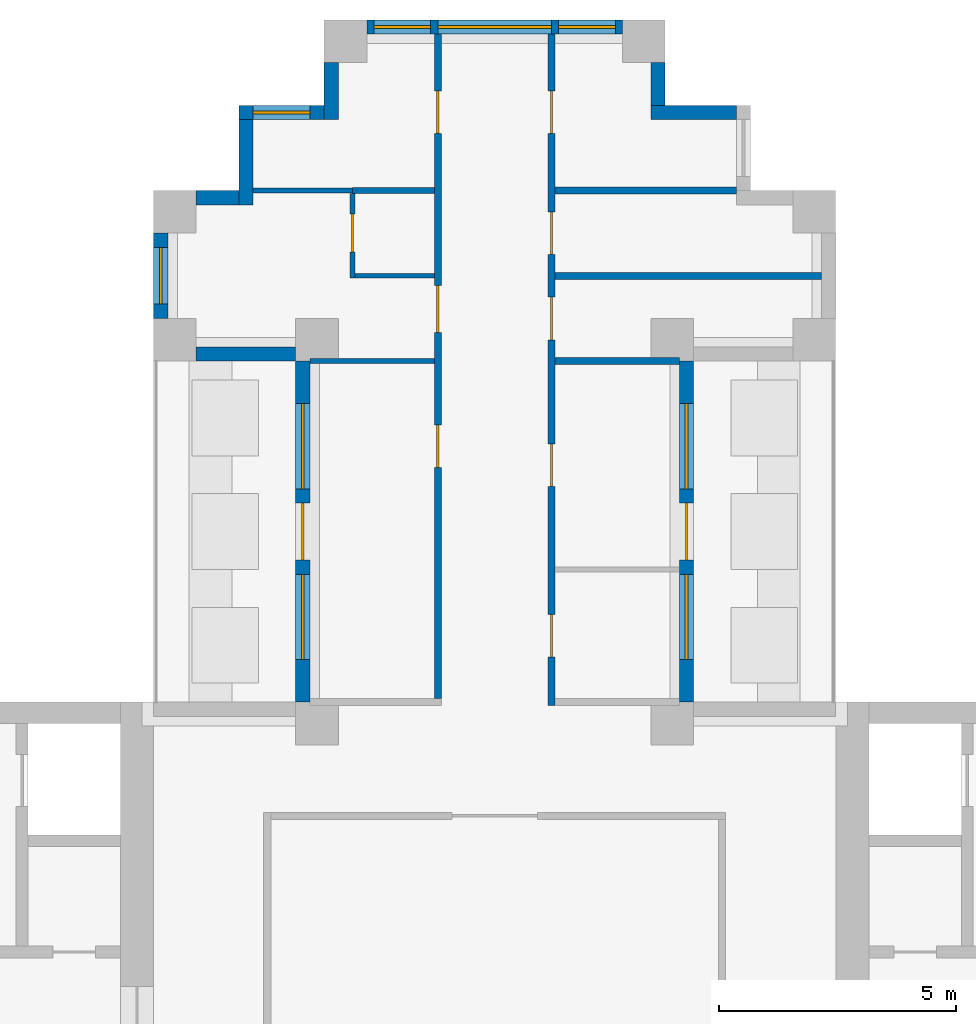
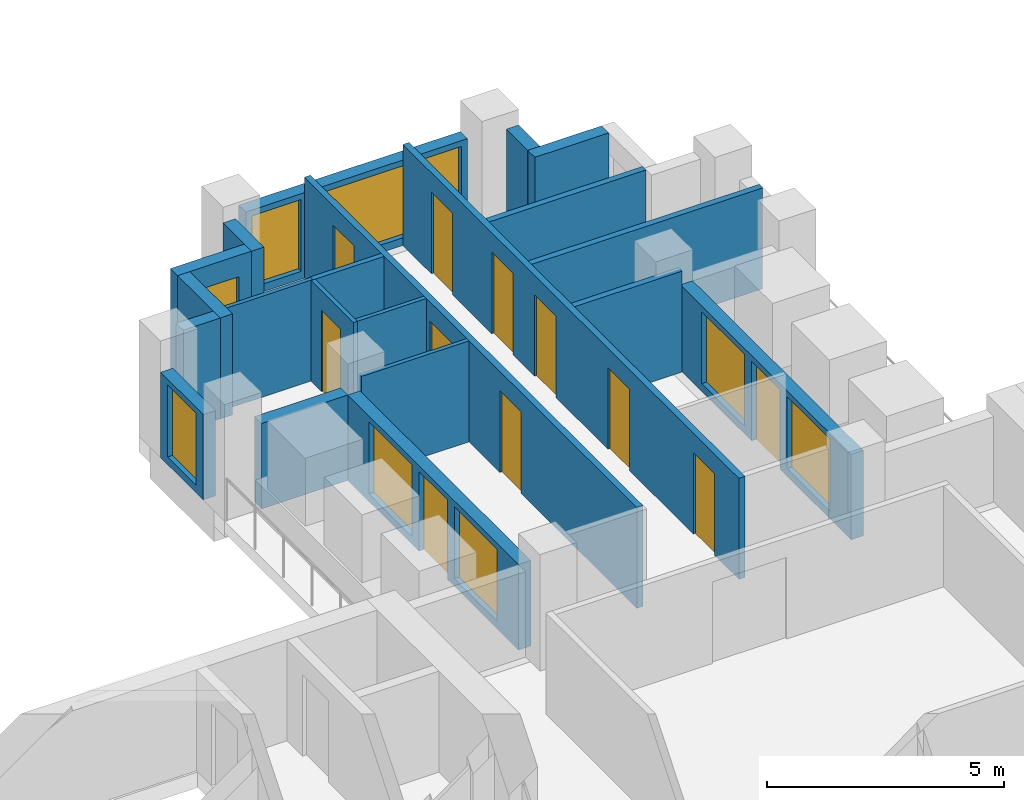
# One storey, part 7 of 11: 21 walls, 11 doors, 9 windows, 20 openings.
"""IFC4 building model written with IfcOpenShell, lengths in metres."""

from ifc_helpers import new_model, si_unit, direction, frame, frame_2d, origin, place, context, subcontext, project, spatial, rectangle, extrude, material, layer, layer_set, type_object, element, fill, save


model = new_model("IFC4")

# Units and contexts
model_context = context("Model", 3, precision=1e-05, world=origin(), true_north=direction((0.0, 1.0)))
body_context = subcontext(model_context, "Body", "Model", "MODEL_VIEW")
ifc_project = project(units=[si_unit("LENGTHUNIT", "METRE"), si_unit("AREAUNIT", "SQUARE_METRE"), si_unit("VOLUMEUNIT", "CUBIC_METRE"), si_unit("PLANEANGLEUNIT", "RADIAN"), si_unit("MASSUNIT", "GRAM", prefix="KILO")], contexts=[model_context])

# Site, building, storey
site_placement = place(None, origin())
site = spatial("IfcSite", under=ifc_project, at=site_placement, CompositionType="ELEMENT")
building_placement = place(site_placement, origin())
building = spatial("IfcBuilding", under=site, at=building_placement, Name="Fustian Cross Tower", CompositionType="ELEMENT")
storey_placement = place(building_placement, frame((0.0, 0.0, 126.300048828125)))
storey = spatial("IfcBuildingStorey", under=building, at=storey_placement, Name="L39", CompositionType="ELEMENT", Elevation=126.300048828125)

# Wall, openings, doors
ifc_material_1 = material(Name="Plasterboard on steel stud", Category="steel")
ifc_layer_1 = layer(ifc_material_1, 0.14990234375)
ifc_layer_set_1 = layer_set([ifc_layer_1], Name="Plasterboard on steel stud")
wall_type_1 = type_object("IfcWallType", Name="COMPARTMENT WALL 150 EI 60", PredefinedType="PARTITIONING", material=ifc_layer_set_1)
wall_1_placement = place(storey_placement, frame((-1.199951171875, 7.27490234375, 0.0), z_axis=(0.0, 0.0, 1.0), x_axis=(0.0, 1.0, 0.0)))
wall_1 = element("IfcWall", 1, at=wall_1_placement, inside=storey, type_object=wall_type_1, Name="Partition 33", PredefinedType="PARTITIONING", context=body_context, shape_type="SweptSolid", body=[
    extrude(rectangle(XDim=14.025146484375, YDim=0.14990234375, at=frame_2d((7.0126953125, 0.0))), origin(), (0.0, 0.0, 1.0), 2.599853515625),
])
opening_1_placement = place(wall_1_placement, frame((4.875, 0.0, 0.0)))
opening_1 = element("IfcOpeningElement", 2, at=opening_1_placement, cuts=wall_1, Name="Opening D18014", PredefinedType="OPENING", context=body_context, shape_type="SweptSolid", body=[
    extrude(rectangle(XDim=0.89990234375, YDim=2.10009765625, at=frame_2d((0.449951171875, 1.050048828125))), frame((0.0, 0.0849609375, 0.0), z_axis=(0.0, -1.0, 0.0), x_axis=(1.0, 0.0, 0.0)), (0.0, 0.0, 1.0), 0.169921875),
])
opening_2_placement = place(wall_1_placement, frame((7.72509765625, 0.0, 0.0)))
opening_2 = element("IfcOpeningElement", 3, at=opening_2_placement, cuts=wall_1, Name="Opening D18016", PredefinedType="OPENING", context=body_context, shape_type="SweptSolid", body=[
    extrude(rectangle(XDim=1.0, YDim=2.10009765625, at=frame_2d((0.5, 1.050048828125))), frame((0.0, 0.0849609375, 0.0), z_axis=(0.0, -1.0, 0.0), x_axis=(1.0, 0.0, 0.0)), (0.0, 0.0, 1.0), 0.169921875),
])
opening_3_placement = place(wall_1_placement, frame((11.925048828125, 0.0, 0.0)))
opening_3 = element("IfcOpeningElement", 4, at=opening_3_placement, cuts=wall_1, Name="Opening D18017", PredefinedType="OPENING", context=body_context, shape_type="SweptSolid", body=[
    extrude(rectangle(XDim=0.89990234375, YDim=2.10009765625, at=frame_2d((0.449951171875, 1.050048828125))), frame((0.0, 0.0849609375, 0.0), z_axis=(0.0, -1.0, 0.0), x_axis=(1.0, 0.0, 0.0)), (0.0, 0.0, 1.0), 0.169921875),
])
ifc_material_2 = material(Name="Timber fire door set", Category="wood")
door_type_1 = type_object("IfcDoorType", Name="FIRE SWING DOOR 1000 FD30S", OperationType="SINGLE_SWING_LEFT", PredefinedType="DOOR", material=ifc_material_2)
door_1_placement = place(opening_2_placement, origin())
door_1 = element("IfcDoor", 5, at=door_1_placement, inside=storey, type_object=door_type_1, Name="Door D18016", OperationType="SINGLE_SWING_RIGHT", OverallHeight=2.10009765625, OverallWidth=1.0, PredefinedType="DOOR", context=body_context, shape_type="SweptSolid", body=[
    extrude(rectangle(XDim=1.0, YDim=2.10009765625, at=frame_2d((0.5, 1.050048828125))), frame((0.0, 0.02490234375, 0.0), z_axis=(0.0, -1.0, 0.0), x_axis=(1.0, 0.0, 0.0)), (0.0, 0.0, 1.0), 0.050048828125),
])
fill(opening_2, door_1)
ifc_material_3 = material(Name="Timber fire door set", Category="wood")
door_type_2 = type_object("IfcDoorType", Name="FIRE SWING DOOR 900 FD30S", OperationType="SINGLE_SWING_LEFT", PredefinedType="DOOR", material=ifc_material_3)
door_2_placement = place(opening_1_placement, origin())
door_2 = element("IfcDoor", 6, at=door_2_placement, inside=storey, type_object=door_type_2, Name="Door D18014", OperationType="SINGLE_SWING_RIGHT", OverallHeight=2.10009765625, OverallWidth=0.89990234375, PredefinedType="DOOR", context=body_context, shape_type="SweptSolid", body=[
    extrude(rectangle(XDim=0.89990234375, YDim=2.10009765625, at=frame_2d((0.449951171875, 1.050048828125))), frame((0.0, 0.02490234375, 0.0), z_axis=(0.0, -1.0, 0.0), x_axis=(1.0, 0.0, 0.0)), (0.0, 0.0, 1.0), 0.050048828125),
])
fill(opening_1, door_2)
door_3_placement = place(opening_3_placement, origin())
door_3 = element("IfcDoor", 7, at=door_3_placement, inside=storey, type_object=door_type_2, Name="Door D18017", OperationType="SINGLE_SWING_LEFT", OverallHeight=2.10009765625, OverallWidth=0.89990234375, PredefinedType="DOOR", context=body_context, shape_type="SweptSolid", body=[
    extrude(rectangle(XDim=0.89990234375, YDim=2.10009765625, at=frame_2d((0.449951171875, 1.050048828125))), frame((0.0, 0.02490234375, 0.0), z_axis=(0.0, -1.0, 0.0), x_axis=(1.0, 0.0, 0.0)), (0.0, 0.0, 1.0), 0.050048828125),
])
fill(opening_3, door_3)

wall_2_placement = place(storey_placement, frame((1.199951171875, 7.125, 0.0), z_axis=(0.0, 0.0, 1.0), x_axis=(0.0, 1.0, 0.0)))
wall_2 = element("IfcWall", 8, at=wall_2_placement, inside=storey, type_object=wall_type_1, Name="Partition 42", PredefinedType="PARTITIONING", context=body_context, shape_type="SweptSolid", body=[
    extrude(rectangle(XDim=14.175048828125, YDim=0.14990234375, at=frame_2d((7.08740234375, 0.0))), origin(), (0.0, 0.0, 1.0), 2.599853515625),
])
opening_4_placement = place(wall_2_placement, frame((1.02490234375, 0.0, 0.0)))
opening_4 = element("IfcOpeningElement", 9, at=opening_4_placement, cuts=wall_2, Name="Opening D18018", PredefinedType="OPENING", context=body_context, shape_type="SweptSolid", body=[
    extrude(rectangle(XDim=0.89990234375, YDim=2.10009765625, at=frame_2d((0.449951171875, 1.050048828125))), frame((0.0, 0.0849609375, 0.0), z_axis=(0.0, -1.0, 0.0), x_axis=(1.0, 0.0, 0.0)), (0.0, 0.0, 1.0), 0.169921875),
])
opening_5_placement = place(wall_2_placement, frame((4.625, 0.0, 0.0)))
opening_5 = element("IfcOpeningElement", 10, at=opening_5_placement, cuts=wall_2, Name="Opening D18019", PredefinedType="OPENING", context=body_context, shape_type="SweptSolid", body=[
    extrude(rectangle(XDim=0.89990234375, YDim=2.10009765625, at=frame_2d((0.449951171875, 1.050048828125))), frame((0.0, 0.0849609375, 0.0), z_axis=(0.0, -1.0, 0.0), x_axis=(1.0, 0.0, 0.0)), (0.0, 0.0, 1.0), 0.169921875),
])
opening_6_placement = place(wall_2_placement, frame((7.72509765625, 0.0, 0.0)))
opening_6 = element("IfcOpeningElement", 11, at=opening_6_placement, cuts=wall_2, Name="Opening D18020", PredefinedType="OPENING", context=body_context, shape_type="SweptSolid", body=[
    extrude(rectangle(XDim=0.89990234375, YDim=2.10009765625, at=frame_2d((0.449951171875, 1.050048828125))), frame((0.0, 0.0849609375, 0.0), z_axis=(0.0, -1.0, 0.0), x_axis=(1.0, 0.0, 0.0)), (0.0, 0.0, 1.0), 0.169921875),
])
opening_7_placement = place(wall_2_placement, frame((9.52490234375, 0.0, 0.0)))
opening_7 = element("IfcOpeningElement", 12, at=opening_7_placement, cuts=wall_2, Name="Opening D18021", PredefinedType="OPENING", context=body_context, shape_type="SweptSolid", body=[
    extrude(rectangle(XDim=0.89990234375, YDim=2.10009765625, at=frame_2d((0.449951171875, 1.050048828125))), frame((0.0, 0.0849609375, 0.0), z_axis=(0.0, -1.0, 0.0), x_axis=(1.0, 0.0, 0.0)), (0.0, 0.0, 1.0), 0.169921875),
])
opening_8_placement = place(wall_2_placement, frame((12.074951171875, 0.0, 0.0)))
opening_8 = element("IfcOpeningElement", 13, at=opening_8_placement, cuts=wall_2, Name="Opening D18022", PredefinedType="OPENING", context=body_context, shape_type="SweptSolid", body=[
    extrude(rectangle(XDim=0.89990234375, YDim=2.10009765625, at=frame_2d((0.449951171875, 1.050048828125))), frame((0.0, 0.0849609375, 0.0), z_axis=(0.0, -1.0, 0.0), x_axis=(1.0, 0.0, 0.0)), (0.0, 0.0, 1.0), 0.169921875),
])
door_4_placement = place(opening_4_placement, frame((0.89990234375, 0.0, 0.0), z_axis=(0.0, 0.0, 1.0), x_axis=(-1.0, 0.0, 0.0)))
door_4 = element("IfcDoor", 14, at=door_4_placement, inside=storey, type_object=door_type_2, Name="Door D18018", OperationType="SINGLE_SWING_RIGHT", OverallHeight=2.10009765625, OverallWidth=0.89990234375, PredefinedType="DOOR", context=body_context, shape_type="SweptSolid", body=[
    extrude(rectangle(XDim=0.89990234375, YDim=2.10009765625, at=frame_2d((0.449951171875, 1.050048828125))), frame((0.0, 0.02490234375, 0.0), z_axis=(0.0, -1.0, 0.0), x_axis=(1.0, 0.0, 0.0)), (0.0, 0.0, 1.0), 0.050048828125),
])
fill(opening_4, door_4)
door_5_placement = place(opening_5_placement, frame((0.89990234375, 0.0, 0.0), z_axis=(0.0, 0.0, 1.0), x_axis=(-1.0, 0.0, 0.0)))
door_5 = element("IfcDoor", 15, at=door_5_placement, inside=storey, type_object=door_type_2, Name="Door D18019", OperationType="SINGLE_SWING_RIGHT", OverallHeight=2.10009765625, OverallWidth=0.89990234375, PredefinedType="DOOR", context=body_context, shape_type="SweptSolid", body=[
    extrude(rectangle(XDim=0.89990234375, YDim=2.10009765625, at=frame_2d((0.449951171875, 1.050048828125))), frame((0.0, 0.02490234375, 0.0), z_axis=(0.0, -1.0, 0.0), x_axis=(1.0, 0.0, 0.0)), (0.0, 0.0, 1.0), 0.050048828125),
])
fill(opening_5, door_5)
door_6_placement = place(opening_6_placement, origin())
door_6 = element("IfcDoor", 16, at=door_6_placement, inside=storey, type_object=door_type_2, Name="Door D18020", OperationType="SINGLE_SWING_RIGHT", OverallHeight=2.10009765625, OverallWidth=0.89990234375, PredefinedType="DOOR", context=body_context, shape_type="SweptSolid", body=[
    extrude(rectangle(XDim=0.89990234375, YDim=2.10009765625, at=frame_2d((0.449951171875, 1.050048828125))), frame((0.0, 0.02490234375, 0.0), z_axis=(0.0, -1.0, 0.0), x_axis=(1.0, 0.0, 0.0)), (0.0, 0.0, 1.0), 0.050048828125),
])
fill(opening_6, door_6)
door_7_placement = place(opening_7_placement, frame((0.89990234375, 0.0, 0.0), z_axis=(0.0, 0.0, 1.0), x_axis=(-1.0, 0.0, 0.0)))
door_7 = element("IfcDoor", 17, at=door_7_placement, inside=storey, type_object=door_type_2, Name="Door D18021", OperationType="SINGLE_SWING_LEFT", OverallHeight=2.10009765625, OverallWidth=0.89990234375, PredefinedType="DOOR", context=body_context, shape_type="SweptSolid", body=[
    extrude(rectangle(XDim=0.89990234375, YDim=2.10009765625, at=frame_2d((0.449951171875, 1.050048828125))), frame((0.0, 0.02490234375, 0.0), z_axis=(0.0, -1.0, 0.0), x_axis=(1.0, 0.0, 0.0)), (0.0, 0.0, 1.0), 0.050048828125),
])
fill(opening_7, door_7)
door_8_placement = place(opening_8_placement, frame((0.89990234375, 0.0, 0.0), z_axis=(0.0, 0.0, 1.0), x_axis=(-1.0, 0.0, 0.0)))
door_8 = element("IfcDoor", 18, at=door_8_placement, inside=storey, type_object=door_type_2, Name="Door D18022", OperationType="SINGLE_SWING_RIGHT", OverallHeight=2.10009765625, OverallWidth=0.89990234375, PredefinedType="DOOR", context=body_context, shape_type="SweptSolid", body=[
    extrude(rectangle(XDim=0.89990234375, YDim=2.10009765625, at=frame_2d((0.449951171875, 1.050048828125))), frame((0.0, 0.02490234375, 0.0), z_axis=(0.0, -1.0, 0.0), x_axis=(1.0, 0.0, 0.0)), (0.0, 0.0, 1.0), 0.050048828125),
])
fill(opening_8, door_8)

# Walls
wall_3_placement = place(storey_placement, frame((1.27490234375, 14.39990234375, 0.0), z_axis=(0.0, 0.0, 1.0), x_axis=(1.0, 0.0, 0.0)))
element("IfcWall", 19, at=wall_3_placement, inside=storey, type_object=wall_type_1, Name="Partition 45", PredefinedType="PARTITIONING", context=body_context, shape_type="SweptSolid", body=[
    extrude(rectangle(XDim=2.625, YDim=0.14990234375, at=frame_2d((1.3125, 0.0))), origin(), (0.0, 0.0, 1.0), 2.599853515625),
])
wall_4_placement = place(storey_placement, frame((1.27490234375, 16.199951171875, 0.0), z_axis=(0.0, 0.0, 1.0), x_axis=(1.0, 0.0, 0.0)))
element("IfcWall", 20, at=wall_4_placement, inside=storey, type_object=wall_type_1, Name="Partition 46", PredefinedType="PARTITIONING", context=body_context, shape_type="SweptSolid", body=[
    extrude(rectangle(XDim=5.625, YDim=0.14990234375, at=frame_2d((2.8125, 0.0))), origin(), (0.0, 0.0, 1.0), 2.599853515625),
])
wall_5_placement = place(storey_placement, frame((1.27490234375, 18.0, 0.0), z_axis=(0.0, 0.0, 1.0), x_axis=(1.0, 0.0, 0.0)))
element("IfcWall", 21, at=wall_5_placement, inside=storey, type_object=wall_type_1, Name="Partition 47", PredefinedType="PARTITIONING", context=body_context, shape_type="SweptSolid", body=[
    extrude(rectangle(XDim=3.8251953125, YDim=0.14990234375, at=frame_2d((1.91259765625, 0.0))), origin(), (0.0, 0.0, 1.0), 2.599853515625),
])
ifc_material_4 = material(Name="Plasterboard on steel stud", Category="steel")
ifc_layer_2 = layer(ifc_material_4, 0.10009765625)
ifc_layer_set_2 = layer_set([ifc_layer_2], Name="Plasterboard on steel stud")
wall_type_2 = type_object("IfcWallType", Name="PARTITION 100 STUD", PredefinedType="PARTITIONING", material=ifc_layer_set_2)
wall_6_placement = place(storey_placement, frame((-5.10009765625, 18.0, 0.0), z_axis=(0.0, 0.0, 1.0), x_axis=(1.0, 0.0, 0.0)))
element("IfcWall", 22, at=wall_6_placement, inside=storey, type_object=wall_type_2, Name="Partition 16", PredefinedType="PARTITIONING", context=body_context, shape_type="SweptSolid", body=[
    extrude(rectangle(XDim=2.10009765625, YDim=0.10009765625, at=frame_2d((1.050048828125, 0.0))), origin(), (0.0, 0.0, 1.0), 2.599853515625),
])
wall_7_placement = place(storey_placement, frame((-3.89990234375, 14.39990234375, 0.0), z_axis=(0.0, 0.0, 1.0), x_axis=(1.0, 0.0, 0.0)))
element("IfcWall", 23, at=wall_7_placement, inside=storey, type_object=wall_type_2, Name="Partition 24", PredefinedType="PARTITIONING", context=body_context, shape_type="SweptSolid", body=[
    extrude(rectangle(XDim=2.625, YDim=0.10009765625, at=frame_2d((1.3125, 0.0))), origin(), (0.0, 0.0, 1.0), 2.599853515625),
])

# Wall, opening, door
wall_8_placement = place(storey_placement, frame((-3.0, 16.14990234375, 0.0), z_axis=(0.0, 0.0, 1.0), x_axis=(0.0, 1.0, 0.0)))
wall_8 = element("IfcWall", 24, at=wall_8_placement, inside=storey, type_object=wall_type_2, Name="Partition 28", PredefinedType="PARTITIONING", context=body_context, shape_type="SweptSolid", body=[
    extrude(rectangle(XDim=1.78759765625, YDim=0.10009765625, at=frame_2d((0.893798828125, 0.0))), origin(), (0.0, 0.0, 1.0), 2.599853515625),
])
opening_9_placement = place(wall_8_placement, frame((0.550048828125, 0.0, 0.0)))
opening_9 = element("IfcOpeningElement", 25, at=opening_9_placement, cuts=wall_8, Name="Opening D18015", PredefinedType="OPENING", context=body_context, shape_type="SweptSolid", body=[
    extrude(rectangle(XDim=0.800048828125, YDim=2.10009765625, at=frame_2d((0.39990234375, 1.050048828125))), frame((0.0, 0.06005859375, 0.0), z_axis=(0.0, -1.0, 0.0), x_axis=(1.0, 0.0, 0.0)), (0.0, 0.0, 1.0), 0.1201171875),
])
ifc_material_5 = material(Name="Painted timber", Category="wood")
door_type_3 = type_object("IfcDoorType", Name="SWING DOOR 800", OperationType="SINGLE_SWING_LEFT", PredefinedType="DOOR", material=ifc_material_5)
door_9_placement = place(opening_9_placement, frame((0.800048828125, 0.0, 0.0), z_axis=(0.0, 0.0, 1.0), x_axis=(-1.0, 0.0, 0.0)))
door_9 = element("IfcDoor", 26, at=door_9_placement, inside=storey, type_object=door_type_3, Name="Door D18015", OperationType="SINGLE_SWING_LEFT", OverallHeight=2.10009765625, OverallWidth=0.800048828125, PredefinedType="DOOR", context=body_context, shape_type="SweptSolid", body=[
    extrude(rectangle(XDim=0.800048828125, YDim=2.10009765625, at=frame_2d((0.39990234375, 1.050048828125))), frame((0.0, 0.02490234375, 0.0), z_axis=(0.0, -1.0, 0.0), x_axis=(1.0, 0.0, 0.0)), (0.0, 0.0, 1.0), 0.050048828125),
])
fill(opening_9, door_9)

# Walls
wall_9_placement = place(storey_placement, frame((-2.949951171875, 16.199951171875, 0.0), z_axis=(0.0, 0.0, 1.0), x_axis=(1.0, 0.0, 0.0)))
element("IfcWall", 27, at=wall_9_placement, inside=storey, type_object=wall_type_2, Name="Partition 29", PredefinedType="PARTITIONING", context=body_context, shape_type="SweptSolid", body=[
    extrude(rectangle(XDim=1.675048828125, YDim=0.10009765625, at=frame_2d((0.83740234375, 0.0))), origin(), (0.0, 0.0, 1.0), 2.599853515625),
])
ifc_material_6 = material(Name="Plasterboard on steel stud", Category="steel")
ifc_layer_3 = layer(ifc_material_6, 0.125)
ifc_layer_set_3 = layer_set([ifc_layer_3], Name="Plasterboard on steel stud")
wall_type_3 = type_object("IfcWallType", Name="WET WALL 125 STUD", PredefinedType="PARTITIONING", material=ifc_layer_set_3)
wall_10_placement = place(storey_placement, frame((-3.0, 18.0, 0.0), z_axis=(0.0, 0.0, 1.0), x_axis=(1.0, 0.0, 0.0)))
element("IfcWall", 28, at=wall_10_placement, inside=storey, type_object=wall_type_3, Name="Partition 30", PredefinedType="PARTITIONING", context=body_context, shape_type="SweptSolid", body=[
    extrude(rectangle(XDim=1.72509765625, YDim=0.125, at=frame_2d((0.862548828125, 0.0))), origin(), (0.0, 0.0, 1.0), 2.599853515625),
])

# Wall, openings, door, windows
ifc_material_7 = material(Name="Dark aluminium cladding on insulated backing wall", Category="aluminium")
ifc_layer_4 = layer(ifc_material_7, 0.300048828125)
ifc_layer_set_4 = layer_set([ifc_layer_4], Name="Dark aluminium cladding on insulated backing wall")
wall_type_4 = type_object("IfcWallType", Name="XW1 EXTERNAL WALL 300", PredefinedType="SOLIDWALL", material=ifc_layer_set_4)
wall_11_placement = place(storey_placement, frame((4.050048828125, 7.199951171875, 0.0), z_axis=(0.0, 0.0, 1.0), x_axis=(0.0, 1.0, 0.0)))
wall_11 = element("IfcWall", 29, at=wall_11_placement, inside=storey, type_object=wall_type_4, Name="External wall", PredefinedType="SOLIDWALL", context=body_context, shape_type="SweptSolid", body=[
    extrude(rectangle(XDim=7.199951171875, YDim=0.300048828125, at=frame_2d((3.60009765625, 0.0))), origin(), (0.0, 0.0, 1.0), 2.199951171875),
])
opening_10_placement = place(wall_11_placement, frame((3.0, 0.0, 0.0)))
opening_10 = element("IfcOpeningElement", 30, at=opening_10_placement, cuts=wall_11, Name="Opening XD1", PredefinedType="OPENING", context=body_context, shape_type="SweptSolid", body=[
    extrude(rectangle(XDim=1.199951171875, YDim=2.050048828125, at=frame_2d((0.60009765625, 1.02490234375))), frame((0.0, 0.159912109375, 0.0), z_axis=(0.0, -1.0, 0.0), x_axis=(1.0, 0.0, 0.0)), (0.0, 0.0, 1.0), 0.320068359375),
])
opening_11_placement = place(wall_11_placement, frame((0.89990234375, 0.0, 0.199951171875)))
opening_11 = element("IfcOpeningElement", 31, at=opening_11_placement, cuts=wall_11, Name="Opening WN2", PredefinedType="OPENING", context=body_context, shape_type="SweptSolid", body=[
    extrude(rectangle(XDim=1.800048828125, YDim=1.85009765625, at=frame_2d((0.89990234375, 0.925048828125))), frame((0.0, 0.159912109375, 0.0), z_axis=(0.0, -1.0, 0.0), x_axis=(1.0, 0.0, 0.0)), (0.0, 0.0, 1.0), 0.320068359375),
])
opening_12_placement = place(wall_11_placement, frame((4.5, 0.0, 0.199951171875)))
opening_12 = element("IfcOpeningElement", 32, at=opening_12_placement, cuts=wall_11, Name="Opening WN2", PredefinedType="OPENING", context=body_context, shape_type="SweptSolid", body=[
    extrude(rectangle(XDim=1.800048828125, YDim=1.85009765625, at=frame_2d((0.89990234375, 0.925048828125))), frame((0.0, 0.159912109375, 0.0), z_axis=(0.0, -1.0, 0.0), x_axis=(1.0, 0.0, 0.0)), (0.0, 0.0, 1.0), 0.320068359375),
])
ifc_material_8 = material(Name="Dark anodised aluminium and double glazing", Category="aluminium")
door_type_4 = type_object("IfcDoorType", Name="ED1 BALCONY DOOR 1200X2050", OperationType="SINGLE_SWING_LEFT", PredefinedType="DOOR", material=ifc_material_8)
door_10_placement = place(opening_10_placement, origin())
door_10 = element("IfcDoor", 33, at=door_10_placement, inside=storey, type_object=door_type_4, Name="Balcony door", OperationType="SINGLE_SWING_LEFT", OverallHeight=2.050048828125, OverallWidth=1.199951171875, PredefinedType="DOOR", context=body_context, shape_type="SweptSolid", body=[
    extrude(rectangle(XDim=1.199951171875, YDim=2.050048828125, at=frame_2d((0.60009765625, 1.02490234375))), frame((0.0, 0.02490234375, 0.0), z_axis=(0.0, -1.0, 0.0), x_axis=(1.0, 0.0, 0.0)), (0.0, 0.0, 1.0), 0.050048828125),
])
fill(opening_10, door_10)
ifc_material_9 = material(Name="Dark anodised aluminium and double glazing", Category="aluminium")
window_type_1 = type_object("IfcWindowType", Name="WN2 WINDOW 1800X1850", PartitioningType="SINGLE_PANEL", PredefinedType="WINDOW", material=ifc_material_9)
window_1_placement = place(opening_11_placement, origin())
window_1 = element("IfcWindow", 34, at=window_1_placement, inside=storey, type_object=window_type_1, Name="Window", OverallHeight=1.85009765625, OverallWidth=1.800048828125, PartitioningType="SINGLE_PANEL", PredefinedType="WINDOW", context=body_context, shape_type="SweptSolid", body=[
    extrude(rectangle(XDim=1.800048828125, YDim=1.85009765625, at=frame_2d((0.89990234375, 0.925048828125))), frame((0.0, 0.030029296875, 0.0), z_axis=(0.0, -1.0, 0.0), x_axis=(1.0, 0.0, 0.0)), (0.0, 0.0, 1.0), 0.06005859375),
])
fill(opening_11, window_1)
window_2_placement = place(opening_12_placement, origin())
window_2 = element("IfcWindow", 35, at=window_2_placement, inside=storey, type_object=window_type_1, Name="Window", OverallHeight=1.85009765625, OverallWidth=1.800048828125, PartitioningType="SINGLE_PANEL", PredefinedType="WINDOW", context=body_context, shape_type="SweptSolid", body=[
    extrude(rectangle(XDim=1.800048828125, YDim=1.85009765625, at=frame_2d((0.89990234375, 0.925048828125))), frame((0.0, 0.030029296875, 0.0), z_axis=(0.0, -1.0, 0.0), x_axis=(1.0, 0.0, 0.0)), (0.0, 0.0, 1.0), 0.06005859375),
])
fill(opening_12, window_2)

# Walls
wall_12_placement = place(storey_placement, frame((5.10009765625, 19.64990234375, 0.0), z_axis=(0.0, 0.0, 1.0), x_axis=(-1.0, 0.0, 0.0)))
element("IfcWall", 36, at=wall_12_placement, inside=storey, type_object=wall_type_4, Name="External wall", PredefinedType="SOLIDWALL", context=body_context, shape_type="SweptSolid", body=[
    extrude(rectangle(XDim=1.800048828125, YDim=0.300048828125, at=frame_2d((0.89990234375, 0.0))), origin(), (0.0, 0.0, 1.0), 2.599853515625),
])
wall_13_placement = place(storey_placement, frame((3.449951171875, 19.800048828125, 0.0), z_axis=(0.0, 0.0, 1.0), x_axis=(0.0, 1.0, 0.0)))
element("IfcWall", 37, at=wall_13_placement, inside=storey, type_object=wall_type_4, Name="External wall", PredefinedType="SOLIDWALL", context=body_context, shape_type="SweptSolid", body=[
    extrude(rectangle(XDim=0.89990234375, YDim=0.300048828125, at=frame_2d((0.449951171875, 0.0))), origin(), (0.0, 0.0, 1.0), 2.599853515625),
])

# Wall, openings, windows
wall_14_placement = place(storey_placement, frame((2.699951171875, 21.449951171875, 0.0), z_axis=(0.0, 0.0, 1.0), x_axis=(-1.0, 0.0, 0.0)))
wall_14 = element("IfcWall", 38, at=wall_14_placement, inside=storey, type_object=wall_type_4, Name="External wall", PredefinedType="SOLIDWALL", context=body_context, shape_type="SweptSolid", body=[
    extrude(rectangle(XDim=5.39990234375, YDim=0.300048828125, at=frame_2d((2.699951171875, 0.0))), origin(), (0.0, 0.0, 1.0), 2.199951171875),
])
opening_13_placement = place(wall_14_placement, frame((1.5, 0.0, 0.199951171875)))
opening_13 = element("IfcOpeningElement", 39, at=opening_13_placement, cuts=wall_14, Name="Opening WN1", PredefinedType="OPENING", context=body_context, shape_type="SweptSolid", body=[
    extrude(rectangle(XDim=2.39990234375, YDim=1.85009765625, at=frame_2d((1.199951171875, 0.925048828125))), frame((0.0, 0.159912109375, 0.0), z_axis=(0.0, -1.0, 0.0), x_axis=(1.0, 0.0, 0.0)), (0.0, 0.0, 1.0), 0.320068359375),
])
opening_14_placement = place(wall_14_placement, frame((0.14990234375, 0.0, 0.199951171875)))
opening_14 = element("IfcOpeningElement", 40, at=opening_14_placement, cuts=wall_14, Name="Opening WN3", PredefinedType="OPENING", context=body_context, shape_type="SweptSolid", body=[
    extrude(rectangle(XDim=1.199951171875, YDim=1.85009765625, at=frame_2d((0.60009765625, 0.925048828125))), frame((0.0, 0.159912109375, 0.0), z_axis=(0.0, -1.0, 0.0), x_axis=(1.0, 0.0, 0.0)), (0.0, 0.0, 1.0), 0.320068359375),
])
opening_15_placement = place(wall_14_placement, frame((4.050048828125, 0.0, 0.199951171875)))
opening_15 = element("IfcOpeningElement", 41, at=opening_15_placement, cuts=wall_14, Name="Opening WN3", PredefinedType="OPENING", context=body_context, shape_type="SweptSolid", body=[
    extrude(rectangle(XDim=1.199951171875, YDim=1.85009765625, at=frame_2d((0.60009765625, 0.925048828125))), frame((0.0, 0.159912109375, 0.0), z_axis=(0.0, -1.0, 0.0), x_axis=(1.0, 0.0, 0.0)), (0.0, 0.0, 1.0), 0.320068359375),
])
ifc_material_10 = material(Name="Dark anodised aluminium and double glazing", Category="aluminium")
window_type_2 = type_object("IfcWindowType", Name="WN1 WINDOW 2400X1850", PartitioningType="SINGLE_PANEL", PredefinedType="WINDOW", material=ifc_material_10)
window_3_placement = place(opening_13_placement, origin())
window_3 = element("IfcWindow", 42, at=window_3_placement, inside=storey, type_object=window_type_2, Name="Window", OverallHeight=1.85009765625, OverallWidth=2.39990234375, PartitioningType="SINGLE_PANEL", PredefinedType="WINDOW", context=body_context, shape_type="SweptSolid", body=[
    extrude(rectangle(XDim=2.39990234375, YDim=1.85009765625, at=frame_2d((1.199951171875, 0.925048828125))), frame((0.0, 0.030029296875, 0.0), z_axis=(0.0, -1.0, 0.0), x_axis=(1.0, 0.0, 0.0)), (0.0, 0.0, 1.0), 0.06005859375),
])
fill(opening_13, window_3)
ifc_material_11 = material(Name="Dark anodised aluminium and double glazing", Category="aluminium")
window_type_3 = type_object("IfcWindowType", Name="WN3 WINDOW 1200X1850", PartitioningType="SINGLE_PANEL", PredefinedType="WINDOW", material=ifc_material_11)
window_4_placement = place(opening_14_placement, origin())
window_4 = element("IfcWindow", 43, at=window_4_placement, inside=storey, type_object=window_type_3, Name="Window", OverallHeight=1.85009765625, OverallWidth=1.199951171875, PartitioningType="SINGLE_PANEL", PredefinedType="WINDOW", context=body_context, shape_type="SweptSolid", body=[
    extrude(rectangle(XDim=1.199951171875, YDim=1.85009765625, at=frame_2d((0.60009765625, 0.925048828125))), frame((0.0, 0.030029296875, 0.0), z_axis=(0.0, -1.0, 0.0), x_axis=(1.0, 0.0, 0.0)), (0.0, 0.0, 1.0), 0.06005859375),
])
fill(opening_14, window_4)
window_5_placement = place(opening_15_placement, origin())
window_5 = element("IfcWindow", 44, at=window_5_placement, inside=storey, type_object=window_type_3, Name="Window", OverallHeight=1.85009765625, OverallWidth=1.199951171875, PartitioningType="SINGLE_PANEL", PredefinedType="WINDOW", context=body_context, shape_type="SweptSolid", body=[
    extrude(rectangle(XDim=1.199951171875, YDim=1.85009765625, at=frame_2d((0.60009765625, 0.925048828125))), frame((0.0, 0.030029296875, 0.0), z_axis=(0.0, -1.0, 0.0), x_axis=(1.0, 0.0, 0.0)), (0.0, 0.0, 1.0), 0.06005859375),
])
fill(opening_15, window_5)

# Wall
wall_15_placement = place(storey_placement, frame((-3.449951171875, 20.699951171875, 0.0), z_axis=(0.0, 0.0, 1.0), x_axis=(0.0, -1.0, 0.0)))
element("IfcWall", 45, at=wall_15_placement, inside=storey, type_object=wall_type_4, Name="External wall", PredefinedType="SOLIDWALL", context=body_context, shape_type="SweptSolid", body=[
    extrude(rectangle(XDim=1.199951171875, YDim=0.300048828125, at=frame_2d((0.60009765625, 0.0))), origin(), (0.0, 0.0, 1.0), 2.599853515625),
])

# Wall, opening, window
wall_16_placement = place(storey_placement, frame((-3.60009765625, 19.64990234375, 0.0), z_axis=(0.0, 0.0, 1.0), x_axis=(-1.0, 0.0, 0.0)))
wall_16 = element("IfcWall", 46, at=wall_16_placement, inside=storey, type_object=wall_type_4, Name="External wall", PredefinedType="SOLIDWALL", context=body_context, shape_type="SweptSolid", body=[
    extrude(rectangle(XDim=1.7998046875, YDim=0.300048828125, at=frame_2d((0.89990234375, 0.0))), origin(), (0.0, 0.0, 1.0), 2.599853515625),
])
opening_16_placement = place(wall_16_placement, frame((0.300048828125, 0.0, 0.199951171875)))
opening_16 = element("IfcOpeningElement", 47, at=opening_16_placement, cuts=wall_16, Name="Opening WN3", PredefinedType="OPENING", context=body_context, shape_type="SweptSolid", body=[
    extrude(rectangle(XDim=1.199951171875, YDim=1.85009765625, at=frame_2d((0.60009765625, 0.925048828125))), frame((0.0, 0.159912109375, 0.0), z_axis=(0.0, -1.0, 0.0), x_axis=(1.0, 0.0, 0.0)), (0.0, 0.0, 1.0), 0.320068359375),
])
window_6_placement = place(opening_16_placement, origin())
window_6 = element("IfcWindow", 48, at=window_6_placement, inside=storey, type_object=window_type_3, Name="Window", OverallHeight=1.85009765625, OverallWidth=1.199951171875, PartitioningType="SINGLE_PANEL", PredefinedType="WINDOW", context=body_context, shape_type="SweptSolid", body=[
    extrude(rectangle(XDim=1.199951171875, YDim=1.85009765625, at=frame_2d((0.60009765625, 0.925048828125))), frame((0.0, 0.030029296875, 0.0), z_axis=(0.0, -1.0, 0.0), x_axis=(1.0, 0.0, 0.0)), (0.0, 0.0, 1.0), 0.06005859375),
])
fill(opening_16, window_6)

# Walls
wall_17_placement = place(storey_placement, frame((-5.25, 19.5, 0.0), z_axis=(0.0, 0.0, 1.0), x_axis=(0.0, -1.0, 0.0)))
element("IfcWall", 49, at=wall_17_placement, inside=storey, type_object=wall_type_4, Name="External wall", PredefinedType="SOLIDWALL", context=body_context, shape_type="SweptSolid", body=[
    extrude(rectangle(XDim=1.800048828125, YDim=0.300048828125, at=frame_2d((0.89990234375, 0.0))), origin(), (0.0, 0.0, 1.0), 2.599853515625),
])
wall_18_placement = place(storey_placement, frame((-5.39990234375, 17.85009765625, 0.0), z_axis=(0.0, 0.0, 1.0), x_axis=(-1.0, 0.0, 0.0)))
element("IfcWall", 50, at=wall_18_placement, inside=storey, type_object=wall_type_4, Name="External wall", PredefinedType="SOLIDWALL", context=body_context, shape_type="SweptSolid", body=[
    extrude(rectangle(XDim=0.900146484375, YDim=0.300048828125, at=frame_2d((0.4501953125, 0.0))), origin(), (0.0, 0.0, 1.0), 2.599853515625),
])

# Wall, opening, window
wall_19_placement = place(storey_placement, frame((-7.050048828125, 17.10009765625, 0.0), z_axis=(0.0, 0.0, 1.0), x_axis=(0.0, -1.0, 0.0)))
wall_19 = element("IfcWall", 51, at=wall_19_placement, inside=storey, type_object=wall_type_4, Name="External wall", PredefinedType="SOLIDWALL", context=body_context, shape_type="SweptSolid", body=[
    extrude(rectangle(XDim=1.800048828125, YDim=0.300048828125, at=frame_2d((0.89990234375, 0.0))), origin(), (0.0, 0.0, 1.0), 2.199951171875),
])
opening_17_placement = place(wall_19_placement, frame((0.300048828125, 0.0, 0.199951171875)))
opening_17 = element("IfcOpeningElement", 52, at=opening_17_placement, cuts=wall_19, Name="Opening WN3", PredefinedType="OPENING", context=body_context, shape_type="SweptSolid", body=[
    extrude(rectangle(XDim=1.199951171875, YDim=1.85009765625, at=frame_2d((0.60009765625, 0.925048828125))), frame((0.0, 0.159912109375, 0.0), z_axis=(0.0, -1.0, 0.0), x_axis=(1.0, 0.0, 0.0)), (0.0, 0.0, 1.0), 0.320068359375),
])
window_7_placement = place(opening_17_placement, origin())
window_7 = element("IfcWindow", 53, at=window_7_placement, inside=storey, type_object=window_type_3, Name="Window", OverallHeight=1.85009765625, OverallWidth=1.199951171875, PartitioningType="SINGLE_PANEL", PredefinedType="WINDOW", context=body_context, shape_type="SweptSolid", body=[
    extrude(rectangle(XDim=1.199951171875, YDim=1.85009765625, at=frame_2d((0.60009765625, 0.925048828125))), frame((0.0, 0.030029296875, 0.0), z_axis=(0.0, -1.0, 0.0), x_axis=(1.0, 0.0, 0.0)), (0.0, 0.0, 1.0), 0.06005859375),
])
fill(opening_17, window_7)

# Wall
wall_20_placement = place(storey_placement, frame((-6.300048828125, 14.550048828125, 0.0), z_axis=(0.0, 0.0, 1.0), x_axis=(1.0, 0.0, 0.0)))
element("IfcWall", 54, at=wall_20_placement, inside=storey, type_object=wall_type_4, Name="External wall", PredefinedType="SOLIDWALL", context=body_context, shape_type="SweptSolid", body=[
    extrude(rectangle(XDim=2.10009765625, YDim=0.300048828125, at=frame_2d((1.050048828125, 0.0))), origin(), (0.0, 0.0, 1.0), 2.199951171875),
])

# Wall, openings, door, windows
wall_21_placement = place(storey_placement, frame((-4.050048828125, 14.39990234375, 0.0), z_axis=(0.0, 0.0, 1.0), x_axis=(0.0, -1.0, 0.0)))
wall_21 = element("IfcWall", 55, at=wall_21_placement, inside=storey, type_object=wall_type_4, Name="External wall", PredefinedType="SOLIDWALL", context=body_context, shape_type="SweptSolid", body=[
    extrude(rectangle(XDim=7.199951171875, YDim=0.300048828125, at=frame_2d((3.60009765625, 0.0))), origin(), (0.0, 0.0, 1.0), 2.199951171875),
])
opening_18_placement = place(wall_21_placement, frame((3.0, 0.0, 0.0)))
opening_18 = element("IfcOpeningElement", 56, at=opening_18_placement, cuts=wall_21, Name="Opening XD2", PredefinedType="OPENING", context=body_context, shape_type="SweptSolid", body=[
    extrude(rectangle(XDim=1.199951171875, YDim=2.050048828125, at=frame_2d((0.60009765625, 1.02490234375))), frame((0.0, 0.159912109375, 0.0), z_axis=(0.0, -1.0, 0.0), x_axis=(1.0, 0.0, 0.0)), (0.0, 0.0, 1.0), 0.320068359375),
])
opening_19_placement = place(wall_21_placement, frame((0.89990234375, 0.0, 0.199951171875)))
opening_19 = element("IfcOpeningElement", 57, at=opening_19_placement, cuts=wall_21, Name="Opening WN2", PredefinedType="OPENING", context=body_context, shape_type="SweptSolid", body=[
    extrude(rectangle(XDim=1.800048828125, YDim=1.85009765625, at=frame_2d((0.89990234375, 0.925048828125))), frame((0.0, 0.159912109375, 0.0), z_axis=(0.0, -1.0, 0.0), x_axis=(1.0, 0.0, 0.0)), (0.0, 0.0, 1.0), 0.320068359375),
])
opening_20_placement = place(wall_21_placement, frame((4.5, 0.0, 0.199951171875)))
opening_20 = element("IfcOpeningElement", 58, at=opening_20_placement, cuts=wall_21, Name="Opening WN2", PredefinedType="OPENING", context=body_context, shape_type="SweptSolid", body=[
    extrude(rectangle(XDim=1.800048828125, YDim=1.85009765625, at=frame_2d((0.89990234375, 0.925048828125))), frame((0.0, 0.159912109375, 0.0), z_axis=(0.0, -1.0, 0.0), x_axis=(1.0, 0.0, 0.0)), (0.0, 0.0, 1.0), 0.320068359375),
])
door_11_placement = place(opening_18_placement, origin())
door_11 = element("IfcDoor", 59, at=door_11_placement, inside=storey, type_object=door_type_4, Name="Balcony door", OperationType="SINGLE_SWING_LEFT", OverallHeight=2.050048828125, OverallWidth=1.199951171875, PredefinedType="DOOR", context=body_context, shape_type="SweptSolid", body=[
    extrude(rectangle(XDim=1.199951171875, YDim=2.050048828125, at=frame_2d((0.60009765625, 1.02490234375))), frame((0.0, 0.02490234375, 0.0), z_axis=(0.0, -1.0, 0.0), x_axis=(1.0, 0.0, 0.0)), (0.0, 0.0, 1.0), 0.050048828125),
])
fill(opening_18, door_11)
window_8_placement = place(opening_19_placement, origin())
window_8 = element("IfcWindow", 60, at=window_8_placement, inside=storey, type_object=window_type_1, Name="Window", OverallHeight=1.85009765625, OverallWidth=1.800048828125, PartitioningType="SINGLE_PANEL", PredefinedType="WINDOW", context=body_context, shape_type="SweptSolid", body=[
    extrude(rectangle(XDim=1.800048828125, YDim=1.85009765625, at=frame_2d((0.89990234375, 0.925048828125))), frame((0.0, 0.030029296875, 0.0), z_axis=(0.0, -1.0, 0.0), x_axis=(1.0, 0.0, 0.0)), (0.0, 0.0, 1.0), 0.06005859375),
])
fill(opening_19, window_8)
window_9_placement = place(opening_20_placement, origin())
window_9 = element("IfcWindow", 61, at=window_9_placement, inside=storey, type_object=window_type_1, Name="Window", OverallHeight=1.85009765625, OverallWidth=1.800048828125, PartitioningType="SINGLE_PANEL", PredefinedType="WINDOW", context=body_context, shape_type="SweptSolid", body=[
    extrude(rectangle(XDim=1.800048828125, YDim=1.85009765625, at=frame_2d((0.89990234375, 0.925048828125))), frame((0.0, 0.030029296875, 0.0), z_axis=(0.0, -1.0, 0.0), x_axis=(1.0, 0.0, 0.0)), (0.0, 0.0, 1.0), 0.06005859375),
])
fill(opening_20, window_9)

save(model, "model.ifc")
